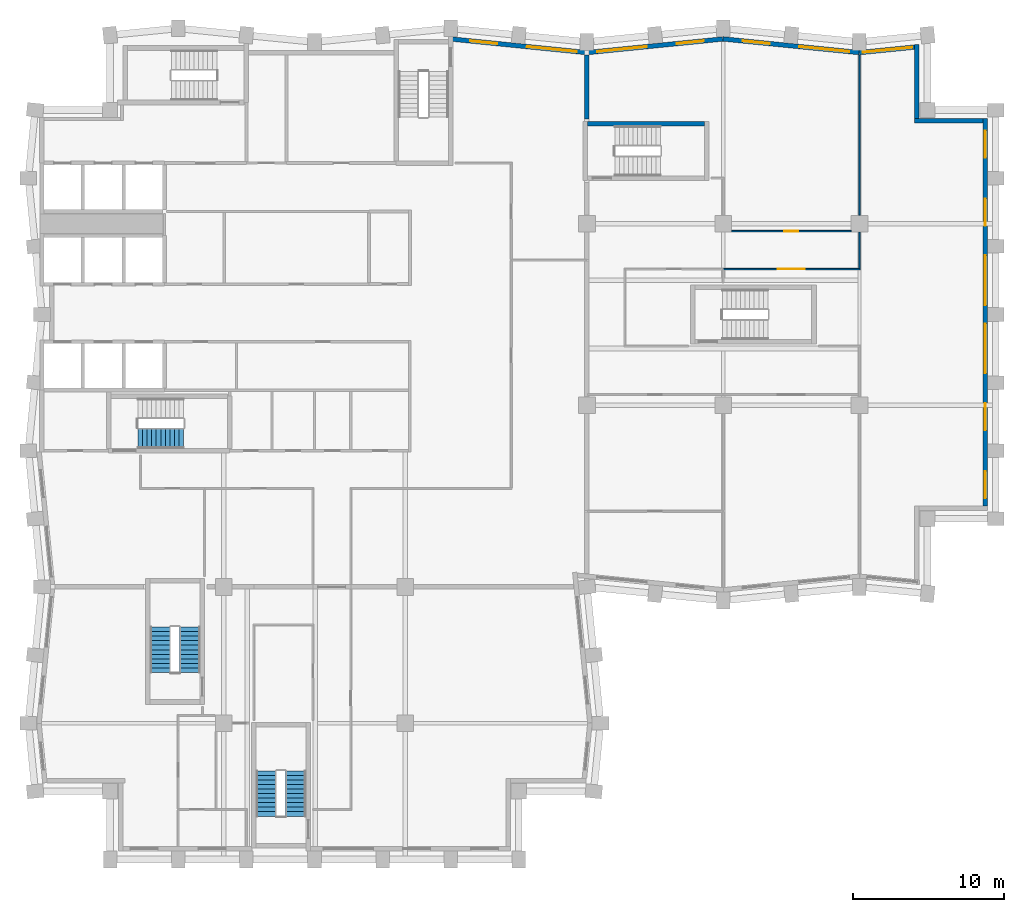
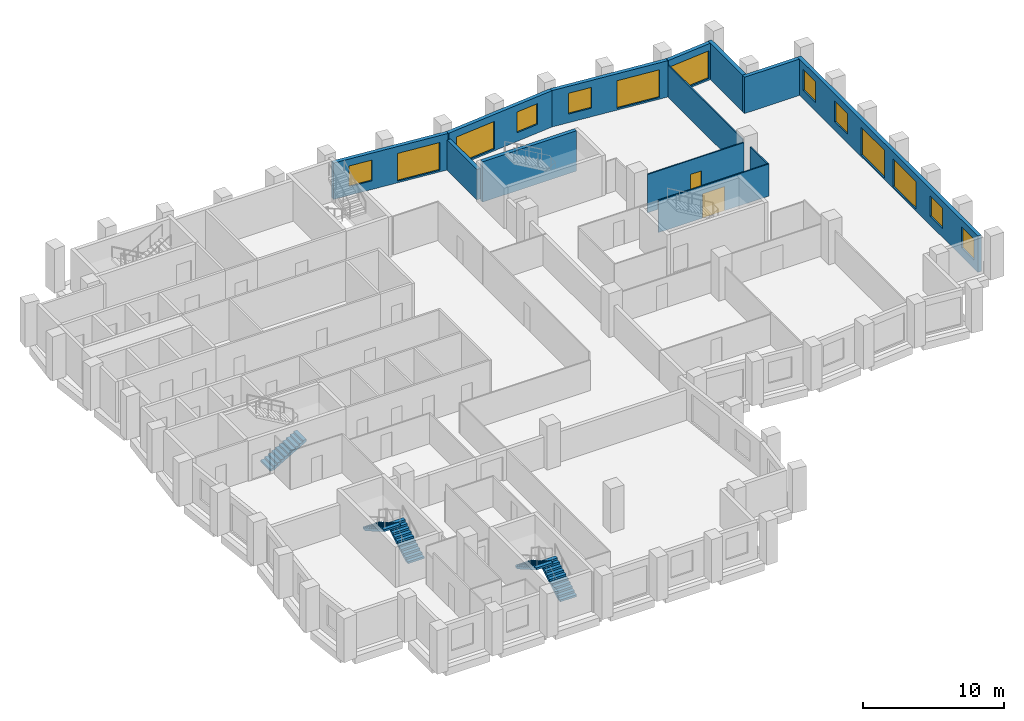
# One storey, part 7 of 10: 13 walls, 13 windows, 5 stair flights, 2 doors, 15 openings, 3 elements without a shape of their own.
"""IFC4 building model written with IfcOpenShell, lengths in metres."""

from ifc_helpers import new_model, si_unit, direction, frame, frame_2d, origin, place, context, subcontext, project, spatial, polyline, rectangle, outline, extrude, material, layer, layer_set, type_object, element, fill, aggregate, save


model = new_model("IFC4")

# Units and contexts
model_context = context("Model", 3, precision=1e-05, world=origin(), true_north=direction((0.0, 1.0)))
body_context = subcontext(model_context, "Body", "Model", "MODEL_VIEW")
ifc_project = project(units=[si_unit("LENGTHUNIT", "METRE"), si_unit("AREAUNIT", "SQUARE_METRE"), si_unit("VOLUMEUNIT", "CUBIC_METRE"), si_unit("PLANEANGLEUNIT", "RADIAN"), si_unit("MASSUNIT", "GRAM", prefix="KILO")], contexts=[model_context])

# Site, building, storey
site_placement = place(None, origin())
site = spatial("IfcSite", under=ifc_project, at=site_placement, CompositionType="ELEMENT")
building_placement = place(site_placement, origin())
building = spatial("IfcBuilding", under=site, at=building_placement, Name="Brondeck Convention Tower", CompositionType="ELEMENT")
storey_placement = place(building_placement, frame((0.0, 0.0, 185.199951171875)))
storey = spatial("IfcBuildingStorey", under=building, at=storey_placement, Name="L45", CompositionType="ELEMENT", Elevation=185.199951171875)

# Wall
ifc_material_1 = material(Name="Concrete compartment wall C30/37", Category="concrete")
ifc_layer_1 = layer(ifc_material_1, 0.300048828125)
ifc_layer_set_1 = layer_set([ifc_layer_1], Name="Compartment wall 300")
wall_type_1 = type_object("IfcWallType", Name="Compartment wall 300", PredefinedType="PARTITIONING", material=ifc_layer_set_1)
wall_1_placement = place(storey_placement, frame((36.0, 57.89990234375, 0.0), z_axis=(0.0, 0.0, 1.0), x_axis=(0.0, 1.0, 0.0)))
element("IfcWall", 1, at=wall_1_placement, inside=storey, type_object=wall_type_1, Name="FLR-L45-W058", PredefinedType="PARTITIONING", context=body_context, shape_type="SweptSolid", body=[
    extrude(rectangle(XDim=4.22607421875, YDim=0.300048828125, at=frame_2d((2.113037109375, 0.0))), origin(), (0.0, 0.0, 1.0), 2.630126953125),
])

# Wall, openings, windows
ifc_material_2 = material(Name="Precast concrete C50/60 bronze finish", Category="concrete")
ifc_layer_2 = layer(ifc_material_2, 0.070068359375, Name="Bronze precast facing")
ifc_material_3 = material(Name="Mineral wool")
ifc_layer_3 = layer(ifc_material_3, 0.159912109375, Name="Insulation")
ifc_material_4 = material(Name="Concrete C35/45", Category="concrete")
ifc_layer_4 = layer(ifc_material_4, 0.070068359375, Name="Backing")
ifc_layer_set_2 = layer_set([ifc_layer_2, ifc_layer_3, ifc_layer_4], Name="External infill wall, precast concrete C50/60 bronze facing")
wall_type_2 = type_object("IfcWallType", Name="External infill wall, precast concrete C50/60 bronze facing", PredefinedType="SOLIDWALL", material=ifc_layer_set_2)
wall_2_placement = place(storey_placement, frame((62.300048828125, 57.949951171875, 0.0), z_axis=(0.0, 0.0, 1.0), x_axis=(0.0, -1.0, 0.0)))
wall_2 = element("IfcWall", 2, at=wall_2_placement, inside=storey, type_object=wall_type_2, Name="ENV-EW-L45-P1-A-E63-01", PredefinedType="SOLIDWALL", context=body_context, shape_type="SweptSolid", body=[
    extrude(rectangle(XDim=25.60205078125, YDim=0.300048828125, at=frame_2d((12.801025390625, 0.0))), origin(), (0.0, 0.0, 1.0), 3.150146484375),
])
opening_1_placement = place(wall_2_placement, frame((0.800048828125, 0.0, 0.75)))
opening_1 = element("IfcOpeningElement", 3, at=opening_1_placement, cuts=wall_2, Name="Opening W10", PredefinedType="OPENING", context=body_context, shape_type="SweptSolid", body=[
    extrude(rectangle(XDim=1.800048828125, YDim=1.800048828125, at=frame_2d((0.89990234375, 0.89990234375))), frame((0.0, 0.159912109375, 0.0), z_axis=(0.0, -1.0, 0.0), x_axis=(1.0, 0.0, 0.0)), (0.0, 0.0, 1.0), 0.320068359375),
])
opening_2_placement = place(wall_2_placement, frame((5.300048828125, 0.0, 0.75)))
opening_2 = element("IfcOpeningElement", 4, at=opening_2_placement, cuts=wall_2, Name="Opening W10", PredefinedType="OPENING", context=body_context, shape_type="SweptSolid", body=[
    extrude(rectangle(XDim=1.800048828125, YDim=1.800048828125, at=frame_2d((0.89990234375, 0.89990234375))), frame((0.0, 0.159912109375, 0.0), z_axis=(0.0, -1.0, 0.0), x_axis=(1.0, 0.0, 0.0)), (0.0, 0.0, 1.0), 0.320068359375),
])
opening_3_placement = place(wall_2_placement, frame((9.050048828125, 0.0, 0.14990234375)))
opening_3 = element("IfcOpeningElement", 5, at=opening_3_placement, cuts=wall_2, Name="Opening W9", PredefinedType="OPENING", context=body_context, shape_type="SweptSolid", body=[
    extrude(rectangle(XDim=3.300048828125, YDim=2.39990234375, at=frame_2d((1.64990234375, 1.199951171875))), frame((0.0, 0.159912109375, 0.0), z_axis=(0.0, -1.0, 0.0), x_axis=(1.0, 0.0, 0.0)), (0.0, 0.0, 1.0), 0.320068359375),
])
opening_4_placement = place(wall_2_placement, frame((13.550048828125, 0.0, 0.14990234375)))
opening_4 = element("IfcOpeningElement", 6, at=opening_4_placement, cuts=wall_2, Name="Opening W9", PredefinedType="OPENING", context=body_context, shape_type="SweptSolid", body=[
    extrude(rectangle(XDim=3.300048828125, YDim=2.39990234375, at=frame_2d((1.64990234375, 1.199951171875))), frame((0.0, 0.159912109375, 0.0), z_axis=(0.0, -1.0, 0.0), x_axis=(1.0, 0.0, 0.0)), (0.0, 0.0, 1.0), 0.320068359375),
])
opening_5_placement = place(wall_2_placement, frame((18.800048828125, 0.0, 0.75)))
opening_5 = element("IfcOpeningElement", 7, at=opening_5_placement, cuts=wall_2, Name="Opening W10", PredefinedType="OPENING", context=body_context, shape_type="SweptSolid", body=[
    extrude(rectangle(XDim=1.800048828125, YDim=1.800048828125, at=frame_2d((0.89990234375, 0.89990234375))), frame((0.0, 0.159912109375, 0.0), z_axis=(0.0, -1.0, 0.0), x_axis=(1.0, 0.0, 0.0)), (0.0, 0.0, 1.0), 0.320068359375),
])
opening_6_placement = place(wall_2_placement, frame((23.300048828125, 0.0, 0.75)))
opening_6 = element("IfcOpeningElement", 8, at=opening_6_placement, cuts=wall_2, Name="Opening W10", PredefinedType="OPENING", context=body_context, shape_type="SweptSolid", body=[
    extrude(rectangle(XDim=1.800048828125, YDim=1.800048828125, at=frame_2d((0.89990234375, 0.89990234375))), frame((0.0, 0.159912109375, 0.0), z_axis=(0.0, -1.0, 0.0), x_axis=(1.0, 0.0, 0.0)), (0.0, 0.0, 1.0), 0.320068359375),
])
ifc_material_5 = material(Name="Bronze tinted double glazing", Category="glass")
window_type_1 = type_object("IfcWindowType", Name="Glazed flute window, bronze tinted", PartitioningType="SINGLE_PANEL", PredefinedType="WINDOW", material=ifc_material_5)
window_1_placement = place(opening_3_placement, origin())
window_1 = element("IfcWindow", 9, at=window_1_placement, inside=storey, type_object=window_type_1, Name="ENV-WN-L45-P1-A-E63-04", OverallHeight=2.39990234375, OverallWidth=3.300048828125, PartitioningType="SINGLE_PANEL", PredefinedType="WINDOW", context=body_context, shape_type="SweptSolid", body=[
    extrude(rectangle(XDim=3.300048828125, YDim=2.39990234375, at=frame_2d((1.64990234375, 1.199951171875))), frame((0.0, 0.030029296875, 0.0), z_axis=(0.0, -1.0, 0.0), x_axis=(1.0, 0.0, 0.0)), (0.0, 0.0, 1.0), 0.06005859375),
])
fill(opening_3, window_1)
window_2_placement = place(opening_4_placement, origin())
window_2 = element("IfcWindow", 10, at=window_2_placement, inside=storey, type_object=window_type_1, Name="ENV-WN-L45-P1-A-E63-03", OverallHeight=2.39990234375, OverallWidth=3.300048828125, PartitioningType="SINGLE_PANEL", PredefinedType="WINDOW", context=body_context, shape_type="SweptSolid", body=[
    extrude(rectangle(XDim=3.300048828125, YDim=2.39990234375, at=frame_2d((1.64990234375, 1.199951171875))), frame((0.0, 0.030029296875, 0.0), z_axis=(0.0, -1.0, 0.0), x_axis=(1.0, 0.0, 0.0)), (0.0, 0.0, 1.0), 0.06005859375),
])
fill(opening_4, window_2)
window_type_2 = type_object("IfcWindowType", Name="Punched window, bronze tinted", PartitioningType="SINGLE_PANEL", PredefinedType="WINDOW", material=ifc_material_5)
window_3_placement = place(opening_1_placement, origin())
window_3 = element("IfcWindow", 11, at=window_3_placement, inside=storey, type_object=window_type_2, Name="ENV-WN-L45-P1-A-E63-06", OverallHeight=1.800048828125, OverallWidth=1.800048828125, PartitioningType="SINGLE_PANEL", PredefinedType="WINDOW", context=body_context, shape_type="SweptSolid", body=[
    extrude(rectangle(XDim=1.800048828125, YDim=1.800048828125, at=frame_2d((0.89990234375, 0.89990234375))), frame((0.0, 0.030029296875, 0.0), z_axis=(0.0, -1.0, 0.0), x_axis=(1.0, 0.0, 0.0)), (0.0, 0.0, 1.0), 0.06005859375),
])
fill(opening_1, window_3)
window_4_placement = place(opening_2_placement, origin())
window_4 = element("IfcWindow", 12, at=window_4_placement, inside=storey, type_object=window_type_2, Name="ENV-WN-L45-P1-A-E63-05", OverallHeight=1.800048828125, OverallWidth=1.800048828125, PartitioningType="SINGLE_PANEL", PredefinedType="WINDOW", context=body_context, shape_type="SweptSolid", body=[
    extrude(rectangle(XDim=1.800048828125, YDim=1.800048828125, at=frame_2d((0.89990234375, 0.89990234375))), frame((0.0, 0.030029296875, 0.0), z_axis=(0.0, -1.0, 0.0), x_axis=(1.0, 0.0, 0.0)), (0.0, 0.0, 1.0), 0.06005859375),
])
fill(opening_2, window_4)
window_5_placement = place(opening_5_placement, origin())
window_5 = element("IfcWindow", 13, at=window_5_placement, inside=storey, type_object=window_type_2, Name="ENV-WN-L45-P1-A-E63-02", OverallHeight=1.800048828125, OverallWidth=1.800048828125, PartitioningType="SINGLE_PANEL", PredefinedType="WINDOW", context=body_context, shape_type="SweptSolid", body=[
    extrude(rectangle(XDim=1.800048828125, YDim=1.800048828125, at=frame_2d((0.89990234375, 0.89990234375))), frame((0.0, 0.030029296875, 0.0), z_axis=(0.0, -1.0, 0.0), x_axis=(1.0, 0.0, 0.0)), (0.0, 0.0, 1.0), 0.06005859375),
])
fill(opening_5, window_5)
window_6_placement = place(opening_6_placement, origin())
window_6 = element("IfcWindow", 14, at=window_6_placement, inside=storey, type_object=window_type_2, Name="ENV-WN-L45-P1-A-E63-01", OverallHeight=1.800048828125, OverallWidth=1.800048828125, PartitioningType="SINGLE_PANEL", PredefinedType="WINDOW", context=body_context, shape_type="SweptSolid", body=[
    extrude(rectangle(XDim=1.800048828125, YDim=1.800048828125, at=frame_2d((0.89990234375, 0.89990234375))), frame((0.0, 0.030029296875, 0.0), z_axis=(0.0, -1.0, 0.0), x_axis=(1.0, 0.0, 0.0)), (0.0, 0.0, 1.0), 0.06005859375),
])
fill(opening_6, window_6)

# Walls
wall_3_placement = place(storey_placement, frame((57.64990234375, 57.800048828125, 0.0), z_axis=(0.0, 0.0, 1.0), x_axis=(1.0, 0.0, 0.0)))
element("IfcWall", 15, at=wall_3_placement, inside=storey, type_object=wall_type_2, Name="ENV-EW-L45-P1-NC-NEA63-01", PredefinedType="SOLIDWALL", context=body_context, shape_type="SweptSolid", body=[
    extrude(rectangle(XDim=4.502197265625, YDim=0.300048828125, at=frame_2d((2.2509765625, 0.0))), origin(), (0.0, 0.0, 1.0), 3.150146484375),
])
wall_4_placement = place(storey_placement, frame((57.800048828125, 62.84228515625, 0.0), z_axis=(0.0, 0.0, 1.0), x_axis=(0.0, -1.0, 0.0)))
element("IfcWall", 16, at=wall_4_placement, inside=storey, type_object=wall_type_2, Name="ENV-EW-L45-P1-NC-NEA63-02", PredefinedType="SOLIDWALL", context=body_context, shape_type="SweptSolid", body=[
    extrude(rectangle(XDim=4.894287109375, YDim=0.300048828125, at=frame_2d((2.447265625, 0.0))), origin(), (0.0, 0.0, 1.0), 3.150146484375),
])

# Wall, opening, window
wall_5_placement = place(storey_placement, frame((53.985107421875, 62.294921875, 0.0), z_axis=(0.0, 0.0, 1.0), x_axis=(0.99503719021, 0.099503719021, 0.0)))
wall_5 = element("IfcWall", 17, at=wall_5_placement, inside=storey, type_object=wall_type_2, Name="ENV-EW-L45-P1-A-N-12", PredefinedType="SOLIDWALL", context=body_context, shape_type="SweptSolid", body=[
    extrude(rectangle(XDim=3.677978515625, YDim=0.300048828125, at=frame_2d((1.8388671875, 0.0))), origin(), (0.0, 0.0, 1.0), 3.150146484375),
])
opening_7_placement = place(wall_5_placement, frame((0.22802734375, 0.0, 0.14990234375)))
opening_7 = element("IfcOpeningElement", 18, at=opening_7_placement, cuts=wall_5, Name="Opening W9", PredefinedType="OPENING", context=body_context, shape_type="SweptSolid", body=[
    extrude(rectangle(XDim=3.300048828125, YDim=2.39990234375, at=frame_2d((1.64990234375, 1.199951171875))), frame((0.0, 0.159912109375, 0.0), z_axis=(0.0, -1.0, 0.0), x_axis=(1.0, 0.0, 0.0)), (0.0, 0.0, 1.0), 0.320068359375),
])
window_7_placement = place(opening_7_placement, origin())
window_7 = element("IfcWindow", 19, at=window_7_placement, inside=storey, type_object=window_type_1, Name="ENV-WN-L45-P1-A-N-12", OverallHeight=2.39990234375, OverallWidth=3.300048828125, PartitioningType="SINGLE_PANEL", PredefinedType="WINDOW", context=body_context, shape_type="SweptSolid", body=[
    extrude(rectangle(XDim=3.300048828125, YDim=2.39990234375, at=frame_2d((1.64990234375, 1.199951171875))), frame((0.0, 0.030029296875, 0.0), z_axis=(0.0, -1.0, 0.0), x_axis=(1.0, 0.0, 0.0)), (0.0, 0.0, 1.0), 0.06005859375),
])
fill(opening_7, window_7)

# Wall, openings, windows
wall_6_placement = place(storey_placement, frame((44.985107421875, 63.197998046875, 0.0), z_axis=(0.0, 0.0, 1.0), x_axis=(0.995037993253, -0.099495688264, 0.0)))
wall_6 = element("IfcWall", 20, at=wall_6_placement, inside=storey, type_object=wall_type_2, Name="ENV-EW-L45-P1-A-N-11", PredefinedType="SOLIDWALL", context=body_context, shape_type="SweptSolid", body=[
    extrude(rectangle(XDim=9.030029296875, YDim=0.300048828125, at=frame_2d((4.51513671875, 0.0))), origin(), (0.0, 0.0, 1.0), 3.150146484375),
])
opening_8_placement = place(wall_6_placement, frame((1.30615234375, 0.0, 0.75)))
opening_8 = element("IfcOpeningElement", 21, at=opening_8_placement, cuts=wall_6, Name="Opening W10", PredefinedType="OPENING", context=body_context, shape_type="SweptSolid", body=[
    extrude(rectangle(XDim=1.800048828125, YDim=1.800048828125, at=frame_2d((0.89990234375, 0.89990234375))), frame((0.0, 0.159912109375, 0.0), z_axis=(0.0, -1.0, 0.0), x_axis=(1.0, 0.0, 0.0)), (0.0, 0.0, 1.0), 0.320068359375),
])
opening_9_placement = place(wall_6_placement, frame((5.07861328125, 0.0, 0.14990234375)))
opening_9 = element("IfcOpeningElement", 22, at=opening_9_placement, cuts=wall_6, Name="Opening W9", PredefinedType="OPENING", context=body_context, shape_type="SweptSolid", body=[
    extrude(rectangle(XDim=3.300048828125, YDim=2.39990234375, at=frame_2d((1.64990234375, 1.199951171875))), frame((0.0, 0.159912109375, 0.0), z_axis=(0.0, -1.0, 0.0), x_axis=(1.0, 0.0, 0.0)), (0.0, 0.0, 1.0), 0.320068359375),
])
window_8_placement = place(opening_9_placement, origin())
window_8 = element("IfcWindow", 23, at=window_8_placement, inside=storey, type_object=window_type_1, Name="ENV-WN-L45-P1-A-N-11", OverallHeight=2.39990234375, OverallWidth=3.300048828125, PartitioningType="SINGLE_PANEL", PredefinedType="WINDOW", context=body_context, shape_type="SweptSolid", body=[
    extrude(rectangle(XDim=3.300048828125, YDim=2.39990234375, at=frame_2d((1.64990234375, 1.199951171875))), frame((0.0, 0.030029296875, 0.0), z_axis=(0.0, -1.0, 0.0), x_axis=(1.0, 0.0, 0.0)), (0.0, 0.0, 1.0), 0.06005859375),
])
fill(opening_9, window_8)
window_9_placement = place(opening_8_placement, origin())
window_9 = element("IfcWindow", 24, at=window_9_placement, inside=storey, type_object=window_type_2, Name="ENV-WN-L45-P1-A-N-10", OverallHeight=1.800048828125, OverallWidth=1.800048828125, PartitioningType="SINGLE_PANEL", PredefinedType="WINDOW", context=body_context, shape_type="SweptSolid", body=[
    extrude(rectangle(XDim=1.800048828125, YDim=1.800048828125, at=frame_2d((0.89990234375, 0.89990234375))), frame((0.0, 0.030029296875, 0.0), z_axis=(0.0, -1.0, 0.0), x_axis=(1.0, 0.0, 0.0)), (0.0, 0.0, 1.0), 0.06005859375),
])
fill(opening_8, window_9)

wall_7_placement = place(storey_placement, frame((35.985107421875, 62.294921875, 0.0), z_axis=(0.0, 0.0, 1.0), x_axis=(0.995035316196, 0.099522457379, 0.0)))
wall_7 = element("IfcWall", 25, at=wall_7_placement, inside=storey, type_object=wall_type_2, Name="ENV-EW-L45-P1-A-N-09", PredefinedType="SOLIDWALL", context=body_context, shape_type="SweptSolid", body=[
    extrude(rectangle(XDim=9.030029296875, YDim=0.300048828125, at=frame_2d((4.51513671875, 0.0))), origin(), (0.0, 0.0, 1.0), 3.150146484375),
])
opening_10_placement = place(wall_7_placement, frame((0.6962890625, 0.0, 0.14990234375)))
opening_10 = element("IfcOpeningElement", 26, at=opening_10_placement, cuts=wall_7, Name="Opening W9", PredefinedType="OPENING", context=body_context, shape_type="SweptSolid", body=[
    extrude(rectangle(XDim=3.300048828125, YDim=2.39990234375, at=frame_2d((1.64990234375, 1.199951171875))), frame((0.0, 0.159912109375, 0.0), z_axis=(0.0, -1.0, 0.0), x_axis=(1.0, 0.0, 0.0)), (0.0, 0.0, 1.0), 0.320068359375),
])
opening_11_placement = place(wall_7_placement, frame((5.968505859375, 0.0, 0.75)))
opening_11 = element("IfcOpeningElement", 27, at=opening_11_placement, cuts=wall_7, Name="Opening W10", PredefinedType="OPENING", context=body_context, shape_type="SweptSolid", body=[
    extrude(rectangle(XDim=1.800048828125, YDim=1.800048828125, at=frame_2d((0.89990234375, 0.89990234375))), frame((0.0, 0.159912109375, 0.0), z_axis=(0.0, -1.0, 0.0), x_axis=(1.0, 0.0, 0.0)), (0.0, 0.0, 1.0), 0.320068359375),
])
window_10_placement = place(opening_10_placement, origin())
window_10 = element("IfcWindow", 28, at=window_10_placement, inside=storey, type_object=window_type_1, Name="ENV-WN-L45-P1-A-N-08", OverallHeight=2.39990234375, OverallWidth=3.300048828125, PartitioningType="SINGLE_PANEL", PredefinedType="WINDOW", context=body_context, shape_type="SweptSolid", body=[
    extrude(rectangle(XDim=3.300048828125, YDim=2.39990234375, at=frame_2d((1.64990234375, 1.199951171875))), frame((0.0, 0.030029296875, 0.0), z_axis=(0.0, -1.0, 0.0), x_axis=(1.0, 0.0, 0.0)), (0.0, 0.0, 1.0), 0.06005859375),
])
fill(opening_10, window_10)
window_11_placement = place(opening_11_placement, origin())
window_11 = element("IfcWindow", 29, at=window_11_placement, inside=storey, type_object=window_type_2, Name="ENV-WN-L45-P1-A-N-09", OverallHeight=1.800048828125, OverallWidth=1.800048828125, PartitioningType="SINGLE_PANEL", PredefinedType="WINDOW", context=body_context, shape_type="SweptSolid", body=[
    extrude(rectangle(XDim=1.800048828125, YDim=1.800048828125, at=frame_2d((0.89990234375, 0.89990234375))), frame((0.0, 0.030029296875, 0.0), z_axis=(0.0, -1.0, 0.0), x_axis=(1.0, 0.0, 0.0)), (0.0, 0.0, 1.0), 0.06005859375),
])
fill(opening_11, window_11)

wall_8_placement = place(storey_placement, frame((27.07958984375, 63.188720703125, 0.0), z_axis=(0.0, 0.0, 1.0), x_axis=(0.995036108007, -0.099514540459, 0.0)))
wall_8 = element("IfcWall", 30, at=wall_8_placement, inside=storey, type_object=wall_type_2, Name="ENV-EW-L45-P1-A-N-07", PredefinedType="SOLIDWALL", context=body_context, shape_type="SweptSolid", body=[
    extrude(rectangle(XDim=8.93505859375, YDim=0.300048828125, at=frame_2d((4.467529296875, 0.0))), origin(), (0.0, 0.0, 1.0), 3.150146484375),
])
opening_12_placement = place(wall_8_placement, frame((1.211181640625, 0.0, 0.75)))
opening_12 = element("IfcOpeningElement", 31, at=opening_12_placement, cuts=wall_8, Name="Opening W10", PredefinedType="OPENING", context=body_context, shape_type="SweptSolid", body=[
    extrude(rectangle(XDim=1.800048828125, YDim=1.800048828125, at=frame_2d((0.89990234375, 0.89990234375))), frame((0.0, 0.159912109375, 0.0), z_axis=(0.0, -1.0, 0.0), x_axis=(1.0, 0.0, 0.0)), (0.0, 0.0, 1.0), 0.320068359375),
])
opening_13_placement = place(wall_8_placement, frame((4.983642578125, 0.0, 0.14990234375)))
opening_13 = element("IfcOpeningElement", 32, at=opening_13_placement, cuts=wall_8, Name="Opening W9", PredefinedType="OPENING", context=body_context, shape_type="SweptSolid", body=[
    extrude(rectangle(XDim=3.300048828125, YDim=2.39990234375, at=frame_2d((1.64990234375, 1.199951171875))), frame((0.0, 0.159912109375, 0.0), z_axis=(0.0, -1.0, 0.0), x_axis=(1.0, 0.0, 0.0)), (0.0, 0.0, 1.0), 0.320068359375),
])
window_12_placement = place(opening_13_placement, origin())
window_12 = element("IfcWindow", 33, at=window_12_placement, inside=storey, type_object=window_type_1, Name="ENV-WN-L45-P1-A-N-07", OverallHeight=2.39990234375, OverallWidth=3.300048828125, PartitioningType="SINGLE_PANEL", PredefinedType="WINDOW", context=body_context, shape_type="SweptSolid", body=[
    extrude(rectangle(XDim=3.300048828125, YDim=2.39990234375, at=frame_2d((1.64990234375, 1.199951171875))), frame((0.0, 0.030029296875, 0.0), z_axis=(0.0, -1.0, 0.0), x_axis=(1.0, 0.0, 0.0)), (0.0, 0.0, 1.0), 0.06005859375),
])
fill(opening_13, window_12)
window_13_placement = place(opening_12_placement, origin())
window_13 = element("IfcWindow", 34, at=window_13_placement, inside=storey, type_object=window_type_2, Name="ENV-WN-L45-P1-A-N-06", OverallHeight=1.800048828125, OverallWidth=1.800048828125, PartitioningType="SINGLE_PANEL", PredefinedType="WINDOW", context=body_context, shape_type="SweptSolid", body=[
    extrude(rectangle(XDim=1.800048828125, YDim=1.800048828125, at=frame_2d((0.89990234375, 0.89990234375))), frame((0.0, 0.030029296875, 0.0), z_axis=(0.0, -1.0, 0.0), x_axis=(1.0, 0.0, 0.0)), (0.0, 0.0, 1.0), 0.06005859375),
])
fill(opening_12, window_13)

# Wall, opening, door
ifc_material_6 = material(Name="Gypsum board partition on steel studs", Category="steel")
ifc_layer_5 = layer(ifc_material_6, 0.10009765625)
ifc_layer_set_3 = layer_set([ifc_layer_5], Name="Room partition 100")
wall_type_3 = type_object("IfcWallType", Name="Room partition 100", PredefinedType="PARTITIONING", material=ifc_layer_set_3)
wall_9_placement = place(storey_placement, frame((54.050048828125, 48.0, 0.0), z_axis=(0.0, 0.0, 1.0), x_axis=(-1.0, 0.0, 0.0)))
wall_9 = element("IfcWall", 35, at=wall_9_placement, inside=storey, type_object=wall_type_3, Name="FLR-L45-W046", PredefinedType="PARTITIONING", context=body_context, shape_type="SweptSolid", body=[
    extrude(rectangle(XDim=9.050048828125, YDim=0.10009765625, at=frame_2d((4.52490234375, 0.0))), origin(), (0.0, 0.0, 1.0), 2.780029296875),
])
opening_14_placement = place(wall_9_placement, frame((3.64990234375, 0.0, 0.0)))
opening_14 = element("IfcOpeningElement", 36, at=opening_14_placement, cuts=wall_9, Name="Opening OF-J-005", PredefinedType="OPENING", context=body_context, shape_type="SweptSolid", body=[
    extrude(rectangle(XDim=1.800048828125, YDim=2.10009765625, at=frame_2d((0.89990234375, 1.050048828125))), frame((0.0, 0.06005859375, 0.0), z_axis=(0.0, -1.0, 0.0), x_axis=(1.0, 0.0, 0.0)), (0.0, 0.0, 1.0), 0.1201171875),
])
ifc_material_7 = material(Name="Glazed timber double door", Category="wood")
door_type_1 = type_object("IfcDoorType", Name="Double door 1800", OperationType="DOUBLE_DOOR_SINGLE_SWING", PredefinedType="DOOR", material=ifc_material_7)
door_1_placement = place(opening_14_placement, origin())
door_1 = element("IfcDoor", 37, at=door_1_placement, inside=storey, type_object=door_type_1, Name="Door OF-J-005", OperationType="DOUBLE_DOOR_SINGLE_SWING", OverallHeight=2.10009765625, OverallWidth=1.800048828125, PredefinedType="DOOR", context=body_context, shape_type="SweptSolid", body=[
    extrude(rectangle(XDim=1.800048828125, YDim=2.10009765625, at=frame_2d((0.89990234375, 1.050048828125))), frame((0.0, 0.02490234375, 0.0), z_axis=(0.0, -1.0, 0.0), x_axis=(1.0, 0.0, 0.0)), (0.0, 0.0, 1.0), 0.050048828125),
])
fill(opening_14, door_1)

# Wall
wall_10_placement = place(storey_placement, frame((54.0, 50.445068359375, 0.0), z_axis=(0.0, 0.0, 1.0), x_axis=(0.0, -1.0, 0.0)))
element("IfcWall", 38, at=wall_10_placement, inside=storey, type_object=wall_type_3, Name="FLR-L45-W050", PredefinedType="PARTITIONING", context=body_context, shape_type="SweptSolid", body=[
    extrude(rectangle(XDim=2.39501953125, YDim=0.10009765625, at=frame_2d((1.197509765625, 0.0))), origin(), (0.0, 0.0, 1.0), 2.780029296875),
])

# Wall, opening, door
wall_11_placement = place(storey_placement, frame((45.554931640625, 50.5, 0.0), z_axis=(0.0, 0.0, 1.0), x_axis=(1.0, 0.0, 0.0)))
wall_11 = element("IfcWall", 39, at=wall_11_placement, inside=storey, type_object=wall_type_3, Name="FLR-L45-W051", PredefinedType="PARTITIONING", context=body_context, shape_type="SweptSolid", body=[
    extrude(rectangle(XDim=7.89013671875, YDim=0.10009765625, at=frame_2d((3.945068359375, 0.0))), origin(), (0.0, 0.0, 1.0), 3.330078125),
])
opening_15_placement = place(wall_11_placement, frame((3.4951171875, 0.0, 0.0)))
opening_15 = element("IfcOpeningElement", 40, at=opening_15_placement, cuts=wall_11, Name="Opening OF-J-009", PredefinedType="OPENING", context=body_context, shape_type="SweptSolid", body=[
    extrude(rectangle(XDim=0.89990234375, YDim=2.10009765625, at=frame_2d((0.449951171875, 1.050048828125))), frame((0.0, 0.06005859375, 0.0), z_axis=(0.0, -1.0, 0.0), x_axis=(1.0, 0.0, 0.0)), (0.0, 0.0, 1.0), 0.1201171875),
])
ifc_material_8 = material(Name="Solid timber door leaf", Category="wood")
door_type_2 = type_object("IfcDoorType", Name="Single door 900", OperationType="NOTDEFINED", PredefinedType="DOOR", material=ifc_material_8)
door_2_placement = place(opening_15_placement, origin())
door_2 = element("IfcDoor", 41, at=door_2_placement, inside=storey, type_object=door_type_2, Name="Door OF-J-009", OperationType="SINGLE_SWING_LEFT", OverallHeight=2.10009765625, OverallWidth=0.89990234375, PredefinedType="DOOR", context=body_context, shape_type="SweptSolid", body=[
    extrude(rectangle(XDim=0.89990234375, YDim=2.10009765625, at=frame_2d((0.449951171875, 1.050048828125))), frame((0.0, 0.02490234375, 0.0), z_axis=(0.0, -1.0, 0.0), x_axis=(1.0, 0.0, 0.0)), (0.0, 0.0, 1.0), 0.050048828125),
])
fill(opening_15, door_2)

# Walls
wall_12_placement = place(storey_placement, frame((54.0, 51.554931640625, 0.0), z_axis=(0.0, 0.0, 1.0), x_axis=(0.0, 1.0, 0.0)))
element("IfcWall", 42, at=wall_12_placement, inside=storey, type_object=wall_type_3, Name="FLR-L45-W053", PredefinedType="PARTITIONING", context=body_context, shape_type="SweptSolid", body=[
    extrude(rectangle(XDim=10.57080078125, YDim=0.10009765625, at=frame_2d((5.285400390625, 0.0))), origin(), (0.0, 0.0, 1.0), 2.780029296875),
])
ifc_material_9 = material(Name="Concrete C70/85", Category="concrete")
ifc_layer_6 = layer(ifc_material_9, 0.300048828125)
ifc_layer_set_4 = layer_set([ifc_layer_6], Name="Stair enclosure wall 300 Concrete C70/85")
wall_type_4 = type_object("IfcWallType", Name="Stair enclosure wall 300 Concrete C70/85", PredefinedType="SHEAR", material=ifc_layer_set_4)
wall_13_placement = place(storey_placement, frame((36.050048828125, 57.60009765625, 0.0), z_axis=(0.0, 0.0, 1.0), x_axis=(1.0, 0.0, 0.0)))
element("IfcWall", 43, at=wall_13_placement, inside=storey, type_object=wall_type_4, Name="L45 core wall", PredefinedType="SHEAR", context=body_context, shape_type="SweptSolid", body=[
    extrude(rectangle(XDim=7.699951171875, YDim=0.300048828125, at=frame_2d((3.85009765625, 0.0))), origin(), (0.0, 0.0, 1.0), 3.5),
])

# Stair, stair flight
ifc_material_10 = material(Name="Precast concrete C50/60", Category="concrete")
stair_type = type_object("IfcStairType", Name="Core stair 22 risers 172.73 mm riser 300 mm going 1350 wide", PredefinedType="HALF_TURN_STAIR", material=ifc_material_10)
stair_1_placement = place(storey_placement, origin())
stair_1 = element("IfcStair", 44, at=stair_1_placement, inside=storey, type_object=stair_type, Name="ST-1 L45 stair", PredefinedType="HALF_TURN_STAIR")
stair_flight_type = type_object("IfcStairFlightType", Name="Core stair flight 22 risers 172.73 mm riser 300 mm going 1350 wide", PredefinedType="STRAIGHT", material=ifc_material_10)
stair_flight_1_placement = place(storey_placement, frame((6.35009765625, 36.824951171875, 0.0), z_axis=(0.0, 0.0, 1.0), x_axis=(1.0, 0.0, 0.0)))
stair_flight_1 = element("IfcStairFlight", 45, at=stair_flight_1_placement, type_object=stair_flight_type, Name="ST-1 flight 1", NumberOfRisers=11, NumberOfTreads=10, PredefinedType="STRAIGHT", RiserHeight=0.172727273, TreadLength=0.3, context=body_context, shape_type="SweptSolid", body=[
    extrude(outline(polyline([(0.0, 0.0), (0.0, 0.172607421875), (0.300048828125, 0.172607421875), (0.300048828125, 0.345458984375), (0.60009765625, 0.345458984375), (0.60009765625, 0.51806640625), (0.89990234375, 0.51806640625), (0.89990234375, 0.69091796875), (1.199951171875, 0.69091796875), (1.199951171875, 0.863525390625), (1.5, 0.863525390625), (1.5, 1.036376953125), (1.800048828125, 1.036376953125), (1.800048828125, 1.208984375), (2.10009765625, 1.208984375), (2.10009765625, 1.3818359375), (2.39990234375, 1.3818359375), (2.39990234375, 1.554443359375), (2.699951171875, 1.554443359375), (2.699951171875, 1.727294921875), (3.0, 1.727294921875), (3.0, 1.89990234375), (3.0, 1.55419921875), (0.300537109375, 0.0), (0.0, 0.0)])), frame((0.0, 0.675048828125, 0.0), z_axis=(0.0, -1.0, 0.0), x_axis=(1.0, 0.0, 0.0)), (0.0, 0.0, 1.0), 1.35009765625),
])
aggregate(stair_1, [stair_flight_1])

# Stair, stair flights
stair_2_placement = place(storey_placement, origin())
stair_2 = element("IfcStair", 46, at=stair_2_placement, inside=storey, type_object=stair_type, Name="ST-BE L45 stair", PredefinedType="HALF_TURN_STAIR")
stair_flight_2_placement = place(storey_placement, frame((9.77490234375, 21.35009765625, 0.0), z_axis=(0.0, 0.0, 1.0), x_axis=(0.0, 1.0, 0.0)))
stair_flight_2 = element("IfcStairFlight", 47, at=stair_flight_2_placement, type_object=stair_flight_type, Name="ST-BE flight 1", NumberOfRisers=11, NumberOfTreads=10, PredefinedType="STRAIGHT", RiserHeight=0.172727273, TreadLength=0.3, context=body_context, shape_type="SweptSolid", body=[
    extrude(outline(polyline([(0.0, 0.0), (0.0, 0.172607421875), (0.300048828125, 0.172607421875), (0.300048828125, 0.345458984375), (0.60009765625, 0.345458984375), (0.60009765625, 0.51806640625), (0.89990234375, 0.51806640625), (0.89990234375, 0.69091796875), (1.199951171875, 0.69091796875), (1.199951171875, 0.863525390625), (1.5, 0.863525390625), (1.5, 1.036376953125), (1.800048828125, 1.036376953125), (1.800048828125, 1.208984375), (2.10009765625, 1.208984375), (2.10009765625, 1.3818359375), (2.39990234375, 1.3818359375), (2.39990234375, 1.554443359375), (2.699951171875, 1.554443359375), (2.699951171875, 1.727294921875), (3.0, 1.727294921875), (3.0, 1.89990234375), (3.0, 1.55419921875), (0.300537109375, 0.0), (0.0, 0.0)])), frame((0.0, 0.675048828125, 0.0), z_axis=(0.0, -1.0, 0.0), x_axis=(1.0, 0.0, 0.0)), (0.0, 0.0, 1.0), 1.35009765625),
])
stair_flight_3_placement = place(storey_placement, frame((7.824951171875, 24.35009765625, 1.900146484375), z_axis=(0.0, 0.0, 1.0), x_axis=(0.0, -1.0, 0.0)))
stair_flight_3 = element("IfcStairFlight", 48, at=stair_flight_3_placement, type_object=stair_flight_type, Name="ST-BE flight 2", NumberOfRisers=11, NumberOfTreads=10, PredefinedType="STRAIGHT", RiserHeight=0.172727273, TreadLength=0.3, context=body_context, shape_type="SweptSolid", body=[
    extrude(outline(polyline([(0.0, 0.0), (0.0, 0.172607421875), (0.300048828125, 0.172607421875), (0.300048828125, 0.345458984375), (0.60009765625, 0.345458984375), (0.60009765625, 0.51806640625), (0.89990234375, 0.51806640625), (0.89990234375, 0.69091796875), (1.199951171875, 0.69091796875), (1.199951171875, 0.863525390625), (1.5, 0.863525390625), (1.5, 1.036376953125), (1.800048828125, 1.036376953125), (1.800048828125, 1.208984375), (2.10009765625, 1.208984375), (2.10009765625, 1.3818359375), (2.39990234375, 1.3818359375), (2.39990234375, 1.554443359375), (2.699951171875, 1.554443359375), (2.699951171875, 1.727294921875), (3.0, 1.727294921875), (3.0, 1.89990234375), (3.0, 1.55419921875), (0.300537109375, 0.0), (0.0, 0.0)])), frame((0.0, 0.675048828125, 0.0), z_axis=(0.0, -1.0, 0.0), x_axis=(1.0, 0.0, 0.0)), (0.0, 0.0, 1.0), 1.35009765625),
])
aggregate(stair_2, [stair_flight_2, stair_flight_3])

stair_3_placement = place(storey_placement, origin())
stair_3 = element("IfcStair", 49, at=stair_3_placement, inside=storey, type_object=stair_type, Name="ST-BF L45 stair", PredefinedType="HALF_TURN_STAIR")
stair_flight_4_placement = place(storey_placement, frame((16.77490234375, 11.85009765625, 0.0), z_axis=(0.0, 0.0, 1.0), x_axis=(0.0, 1.0, 0.0)))
stair_flight_4 = element("IfcStairFlight", 50, at=stair_flight_4_placement, type_object=stair_flight_type, Name="ST-BF flight 1", NumberOfRisers=11, NumberOfTreads=10, PredefinedType="STRAIGHT", RiserHeight=0.172727273, TreadLength=0.3, context=body_context, shape_type="SweptSolid", body=[
    extrude(outline(polyline([(0.0, 0.0), (0.0, 0.172607421875), (0.300048828125, 0.172607421875), (0.300048828125, 0.345458984375), (0.60009765625, 0.345458984375), (0.60009765625, 0.51806640625), (0.89990234375, 0.51806640625), (0.89990234375, 0.69091796875), (1.199951171875, 0.69091796875), (1.199951171875, 0.863525390625), (1.5, 0.863525390625), (1.5, 1.036376953125), (1.800048828125, 1.036376953125), (1.800048828125, 1.208984375), (2.10009765625, 1.208984375), (2.10009765625, 1.3818359375), (2.39990234375, 1.3818359375), (2.39990234375, 1.554443359375), (2.699951171875, 1.554443359375), (2.699951171875, 1.727294921875), (3.0, 1.727294921875), (3.0, 1.89990234375), (3.0, 1.55419921875), (0.300537109375, 0.0), (0.0, 0.0)])), frame((0.0, 0.675048828125, 0.0), z_axis=(0.0, -1.0, 0.0), x_axis=(1.0, 0.0, 0.0)), (0.0, 0.0, 1.0), 1.35009765625),
])
stair_flight_5_placement = place(storey_placement, frame((14.824951171875, 14.85009765625, 1.900146484375), z_axis=(0.0, 0.0, 1.0), x_axis=(0.0, -1.0, 0.0)))
stair_flight_5 = element("IfcStairFlight", 51, at=stair_flight_5_placement, type_object=stair_flight_type, Name="ST-BF flight 2", NumberOfRisers=11, NumberOfTreads=10, PredefinedType="STRAIGHT", RiserHeight=0.172727273, TreadLength=0.3, context=body_context, shape_type="SweptSolid", body=[
    extrude(outline(polyline([(0.0, 0.0), (0.0, 0.172607421875), (0.300048828125, 0.172607421875), (0.300048828125, 0.345458984375), (0.60009765625, 0.345458984375), (0.60009765625, 0.51806640625), (0.89990234375, 0.51806640625), (0.89990234375, 0.69091796875), (1.199951171875, 0.69091796875), (1.199951171875, 0.863525390625), (1.5, 0.863525390625), (1.5, 1.036376953125), (1.800048828125, 1.036376953125), (1.800048828125, 1.208984375), (2.10009765625, 1.208984375), (2.10009765625, 1.3818359375), (2.39990234375, 1.3818359375), (2.39990234375, 1.554443359375), (2.699951171875, 1.554443359375), (2.699951171875, 1.727294921875), (3.0, 1.727294921875), (3.0, 1.89990234375), (3.0, 1.55419921875), (0.300537109375, 0.0), (0.0, 0.0)])), frame((0.0, 0.675048828125, 0.0), z_axis=(0.0, -1.0, 0.0), x_axis=(1.0, 0.0, 0.0)), (0.0, 0.0, 1.0), 1.35009765625),
])
aggregate(stair_3, [stair_flight_4, stair_flight_5])

save(model, "model.ifc")
